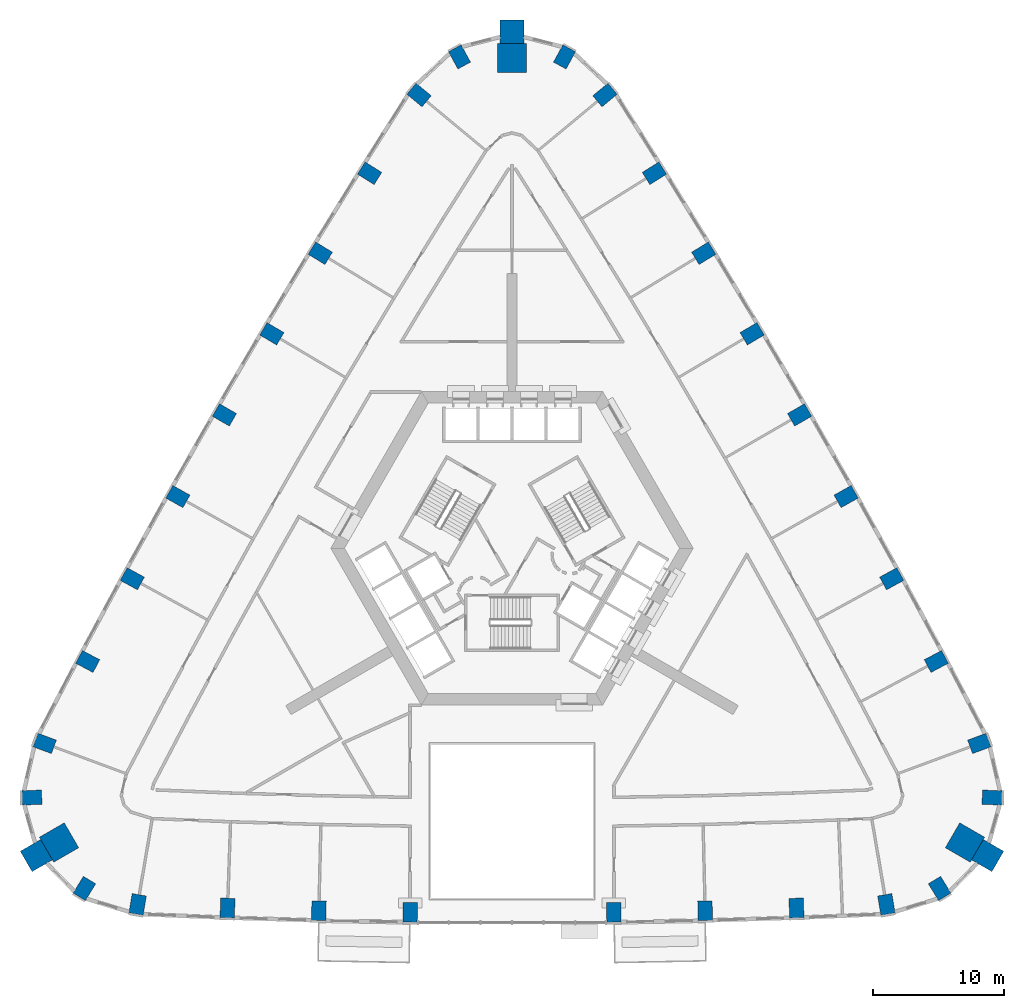
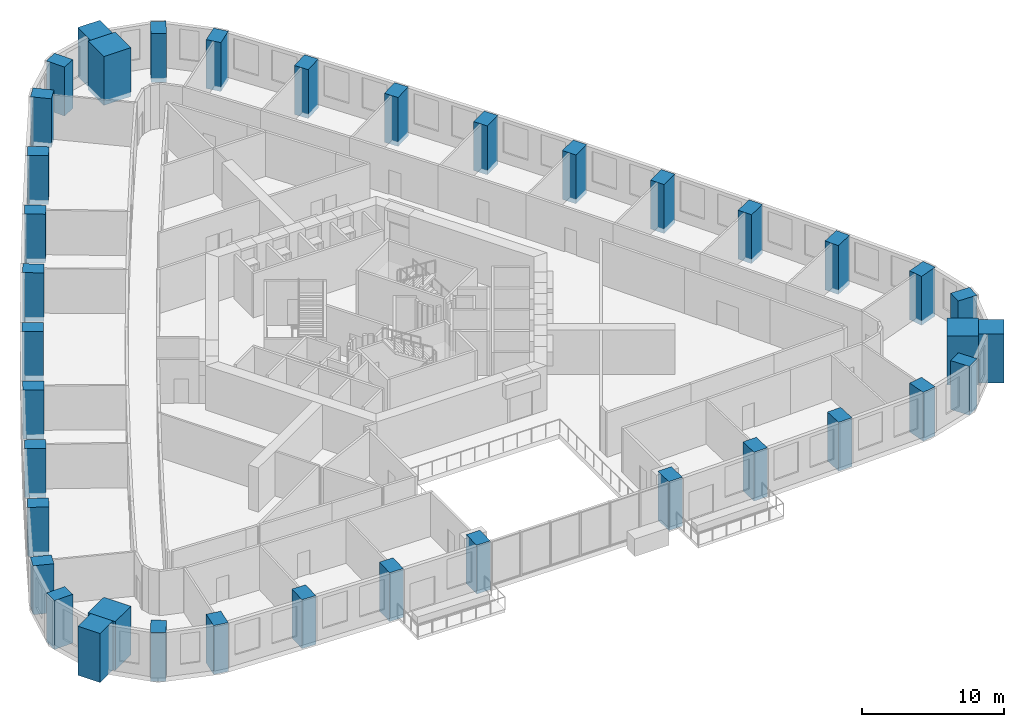
# One storey, part 1 of 13: 38 columns.
"""IFC4 building model written with IfcOpenShell, lengths in metres."""

from ifc_helpers import new_model, si_unit, direction, frame, origin, origin_2d, place, context, subcontext, project, spatial, rectangle, extrude, material, material_profile, profile_set, type_object, element, save


model = new_model("IFC4")

# Units and contexts
model_context = context("Model", 3, precision=1e-05, world=origin(), true_north=direction((0.0, 1.0)))
body_context = subcontext(model_context, "Body", "Model", "MODEL_VIEW")
ifc_project = project(units=[si_unit("LENGTHUNIT", "METRE"), si_unit("AREAUNIT", "SQUARE_METRE"), si_unit("VOLUMEUNIT", "CUBIC_METRE"), si_unit("PLANEANGLEUNIT", "RADIAN"), si_unit("MASSUNIT", "GRAM", prefix="KILO")], contexts=[model_context])

# Site, building, storey
site_placement = place(None, origin())
site = spatial("IfcSite", under=ifc_project, at=site_placement, CompositionType="ELEMENT")
building_placement = place(site_placement, origin())
building = spatial("IfcBuilding", under=site, at=building_placement, Name="Entoto Arch Interchange Tower", CompositionType="ELEMENT")
storey_placement = place(building_placement, frame((0.0, 0.0, 90.800048828125)))
storey = spatial("IfcBuildingStorey", under=building, at=storey_placement, Name="L19", CompositionType="ELEMENT", Elevation=90.800048828125)

# Columns
ifc_material_1 = material(Name="Concrete C60/75", Category="concrete")
ifc_material_profile_1 = material_profile(ifc_material_1, rectangle(XDim=1.10009765625, YDim=1.5, at=origin_2d()))
ifc_profile_set_1 = profile_set([ifc_material_profile_1], Name="Concrete C60/75")
column_type_1 = type_object("IfcColumnType", Name="Column RC 1100x1500 C60/75", PredefinedType="COLUMN", material=ifc_profile_set_1)
for number, where, z_axis, x_axis, name in (
    (1, (-28.633056640625, -24.739990234375, -0.400146484375), (0.0, 0.0, 1.0), (-0.985759288085, 0.168162498658, 0.0), "Column S01 L19"),
    (2, (-21.757080078125, -25.014892578125, -0.400146484375), (0.0, 0.0, 1.0), (-0.999373652571, 0.035387887008, 0.0), "Column S02 L19"),
    (3, (-14.77294921875, -25.221923828125, -0.400146484375), (0.0, 0.0, 1.0), (-0.999711216939, 0.024030870297, 0.0), "Column S03 L19"),
    (4, (-7.7919921875, -25.35107421875, -0.400146484375), (0.0, 0.0, 1.0), (-0.999958020206, 0.009162850353, 0.0), "Column S04 L19"),
    (5, (7.7919921875, -25.35107421875, -0.400146484375), (0.0, 0.0, 1.0), (0.999958020206, 0.009162850353, 0.0), "Column S05 L19"),
    (6, (14.77294921875, -25.221923828125, -0.400146484375), (0.0, 0.0, 1.0), (0.999711216939, 0.024030870297, 0.0), "Column S06 L19"),
    (7, (21.757080078125, -25.014892578125, -0.400146484375), (0.0, 0.0, 1.0), (0.999373652571, 0.035387887008, 0.0), "Column S07 L19"),
    (8, (28.633056640625, -24.739990234375, -0.400146484375), (0.0, 0.0, 1.0), (0.985759288085, 0.168162498658, 0.0), "Column S08 L19"),
    (9, (32.702880859375, -23.51611328125, -0.400146484375), (0.0, 0.0, 1.0), (0.854095929175, 0.520115510024, 0.0), "Column SE1 L19"),
    (10, (36.717041015625, -16.56396484375, -0.400146484375), (0.0, 0.0, 1.0), (0.023385279996, 0.999726526946, 0.0), "Column SE3 L19"),
    (11, (35.740966796875, -12.427001953125, -0.400146484375), (0.0, 0.0, 1.0), (-0.347312116358, 0.937749590152, 0.0), "Column NE01 L19"),
    (12, (32.448974609375, -6.159912109375, -0.400146484375), (0.0, 0.0, 1.0), (-0.469332863911, 0.883021326386, 0.0), "Column NE02 L19"),
    (13, (29.0390625, 0.1669921875, -0.400146484375), (0.0, 0.0, 1.0), (-0.479611016922, 0.87748120917, 0.0), "Column NE03 L19"),
    (14, (25.553955078125, 6.4541015625, -0.400146484375), (0.0, 0.0, 1.0), (-0.489838999048, 0.87181291285, 0.0), "Column NE04 L19"),
    (15, (21.9970703125, 12.699951171875, -0.400146484375), (0.0, 0.0, 1.0), (-0.5, 0.866025403784, 0.0), "Column NE05 L19"),
    (16, (18.366943359375, 18.904052734375, -0.400146484375), (0.0, 0.0, 1.0), (-0.510092630351, 0.860119473365, 0.0), "Column NE06 L19"),
    (17, (14.6640625, 25.06494140625, -0.400146484375), (0.0, 0.0, 1.0), (-0.520115510024, 0.854095929175, 0.0), "Column NE07 L19"),
    (18, (10.889892578125, 31.181884765625, -0.400146484375), (0.0, 0.0, 1.0), (-0.530067268476, 0.847955594881, 0.0), "Column NE08 L19"),
    (19, (7.10888671875, 37.166015625, -0.400146484375), (0.0, 0.0, 1.0), (-0.638458909281, 0.769655910885, 0.0), "Column NE09 L19"),
    (20, (4.013916015625, 40.0791015625, -0.400146484375), (0.0, 0.0, 1.0), (-0.87748120917, 0.479611016922, 0.0), "Column N1 L19"),
    (21, (-4.013916015625, 40.0791015625, -0.400146484375), (0.0, 0.0, 1.0), (0.87748120917, 0.479611016922, 0.0), "Column N3 L19"),
    (22, (-7.10888671875, 37.166015625, -0.400146484375), (0.0, 0.0, 1.0), (0.638458909281, 0.769655910885, 0.0), "Column NW01 L19"),
    (23, (-10.889892578125, 31.181884765625, -0.400146484375), (0.0, 0.0, 1.0), (0.530067268476, 0.847955594881, 0.0), "Column NW02 L19"),
    (24, (-14.6640625, 25.06494140625, -0.400146484375), (0.0, 0.0, 1.0), (0.520115510024, 0.854095929175, 0.0), "Column NW03 L19"),
    (25, (-18.366943359375, 18.904052734375, -0.400146484375), (0.0, 0.0, 1.0), (0.510092630351, 0.860119473365, 0.0), "Column NW04 L19"),
    (26, (-21.9970703125, 12.699951171875, -0.400146484375), (0.0, 0.0, 1.0), (0.5, 0.866025403784, 0.0), "Column NW05 L19"),
    (27, (-25.553955078125, 6.4541015625, -0.400146484375), (0.0, 0.0, 1.0), (0.489838999048, 0.87181291285, 0.0), "Column NW06 L19"),
    (28, (-29.0390625, 0.1669921875, -0.400146484375), (0.0, 0.0, 1.0), (0.479611016922, 0.87748120917, 0.0), "Column NW07 L19"),
    (29, (-32.448974609375, -6.159912109375, -0.400146484375), (0.0, 0.0, 1.0), (0.469332863911, 0.883021326386, 0.0), "Column NW08 L19"),
    (30, (-35.740966796875, -12.427001953125, -0.400146484375), (0.0, 0.0, 1.0), (0.347312116358, 0.937749590152, 0.0), "Column NW09 L19"),
    (31, (-36.717041015625, -16.56396484375, -0.400146484375), (0.0, 0.0, 1.0), (-0.023385279996, 0.999726526946, 0.0), "Column SW1 L19"),
    (32, (-32.702880859375, -23.51611328125, -0.400146484375), (0.0, 0.0, 1.0), (-0.854095929175, 0.520115510024, 0.0), "Column SW3 L19"),
):
    element("IfcColumn", number, at=place(storey_placement, frame(where, z_axis=z_axis, x_axis=x_axis)), inside=storey, type_object=column_type_1, Name=name, PredefinedType="COLUMN", context=body_context, shape_type="SweptSolid", body=[
        extrude(rectangle(XDim=1.10009765625, YDim=1.5, at=origin_2d()), origin(), (0.0, 0.0, 1.0), 4.2001953125),
    ])
ifc_material_2 = material(Name="Precast concrete C40/50", Category="concrete")
ifc_material_profile_2 = material_profile(ifc_material_2, rectangle(XDim=1.800048828125, YDim=1.800048828125, at=origin_2d()))
ifc_profile_set_2 = profile_set([ifc_material_profile_2], Name="Precast concrete C40/50")
column_type_2 = type_object("IfcColumnType", Name="Frame post RC 1800x1800 precast C40/50", PredefinedType="COLUMN", material=ifc_profile_set_2)
for number, where, z_axis, x_axis, name in (
    (33, (36.376953125, -21.0029296875, -0.400146484375), (0.0, 0.0, 1.0), (-0.866025403784, 0.5, 0.0), "Frame post SE L19"),
    (34, (0.0, 42.0048828125, -0.400146484375), (0.0, 0.0, 1.0), (0.0, 1.0, 0.0), "Frame post N L19"),
    (35, (-36.376953125, -21.0029296875, -0.400146484375), (0.0, 0.0, 1.0), (0.866025403784, 0.5, 0.0), "Frame post SW L19"),
):
    element("IfcColumn", number, at=place(storey_placement, frame(where, z_axis=z_axis, x_axis=x_axis)), inside=storey, type_object=column_type_2, Name=name, PredefinedType="COLUMN", context=body_context, shape_type="SweptSolid", body=[
        extrude(rectangle(XDim=1.800048828125, YDim=1.800048828125, at=origin_2d()), origin(), (0.0, 0.0, 1.0), 4.2001953125),
    ])
ifc_material_profile_3 = material_profile(ifc_material_1, rectangle(XDim=2.199951171875, YDim=2.199951171875, at=origin_2d()))
ifc_profile_set_3 = profile_set([ifc_material_profile_3], Name="Concrete C60/75")
column_type_3 = type_object("IfcColumnType", Name="Mega column RC 2200x2200 C60/75", PredefinedType="COLUMN", material=ifc_profile_set_3)
for number, where, z_axis, x_axis, name in (
    (36, (34.64501953125, -20.0029296875, -0.400146484375), (0.0, 0.0, 1.0), (-0.866025403784, 0.5, 0.0), "Corner mega column SE2 L19"),
    (37, (0.0, 40.0048828125, -0.400146484375), (0.0, 0.0, 1.0), (0.0, 1.0, 0.0), "Corner mega column N2 L19"),
    (38, (-34.64501953125, -20.0029296875, -0.400146484375), (0.0, 0.0, 1.0), (0.866025403784, 0.5, 0.0), "Corner mega column SW2 L19"),
):
    element("IfcColumn", number, at=place(storey_placement, frame(where, z_axis=z_axis, x_axis=x_axis)), inside=storey, type_object=column_type_3, Name=name, PredefinedType="COLUMN", context=body_context, shape_type="SweptSolid", body=[
        extrude(rectangle(XDim=2.199951171875, YDim=2.199951171875, at=origin_2d()), origin(), (0.0, 0.0, 1.0), 4.2001953125),
    ])

save(model, "model.ifc")
